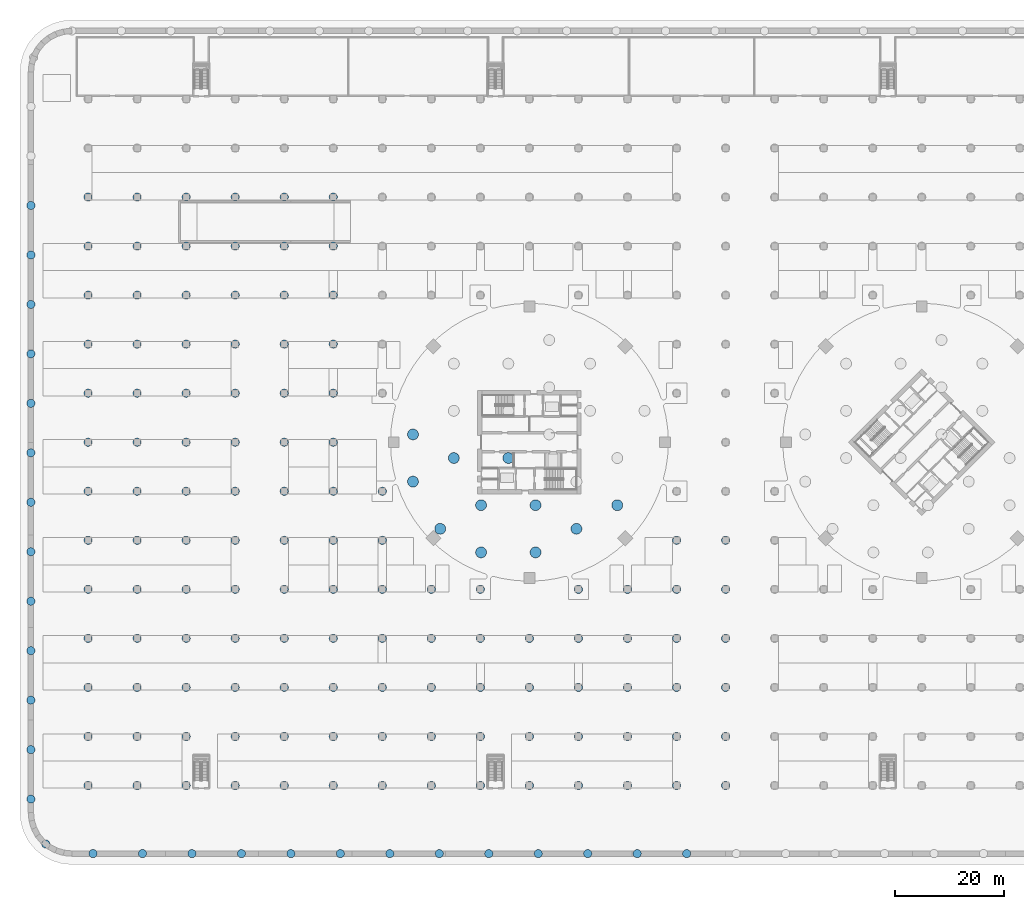
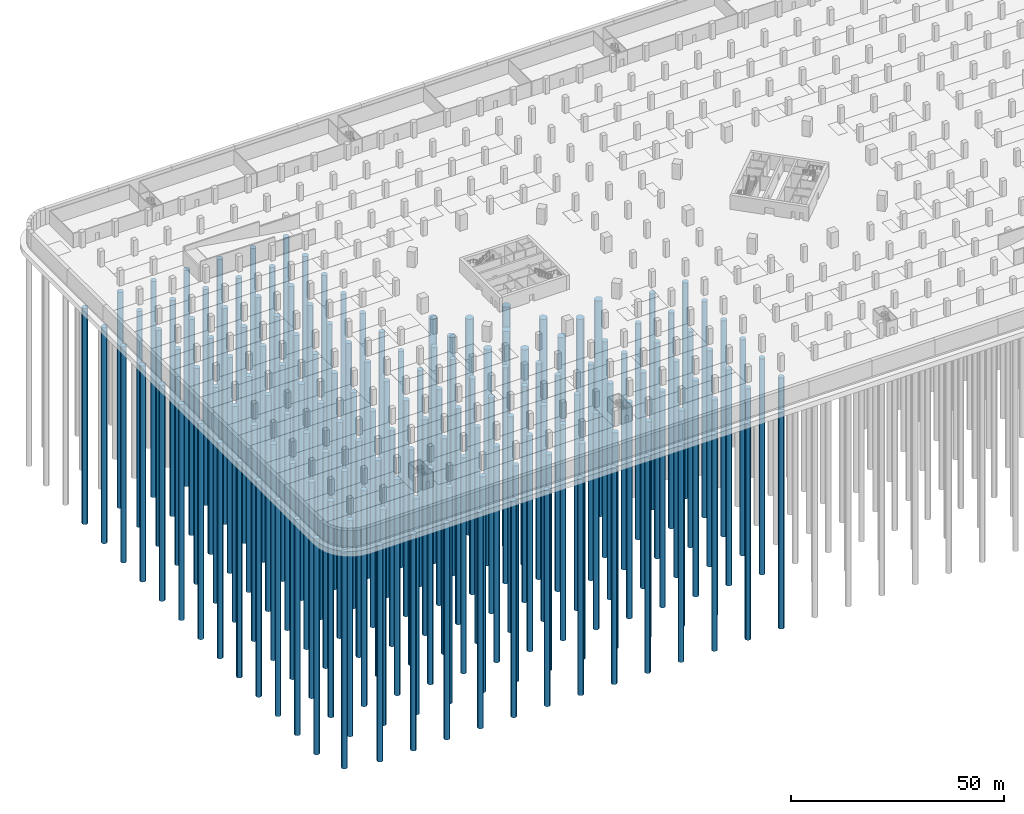
# One storey, part 1 of 39: 159 piles.
"""IFC4 building model written with IfcOpenShell, lengths in metres."""

from ifc_helpers import new_model, si_unit, direction, frame, origin, origin_2d, place, context, subcontext, project, spatial, circle, extrude, material, material_profile, profile_set, type_object, element, save


model = new_model("IFC4")

# Units and contexts
model_context = context("Model", 3, precision=1e-05, world=origin(), true_north=direction((0.0, 1.0)))
body_context = subcontext(model_context, "Body", "Model", "MODEL_VIEW")
ifc_project = project(units=[si_unit("LENGTHUNIT", "METRE"), si_unit("AREAUNIT", "SQUARE_METRE"), si_unit("VOLUMEUNIT", "CUBIC_METRE"), si_unit("PLANEANGLEUNIT", "RADIAN"), si_unit("MASSUNIT", "GRAM", prefix="KILO")], contexts=[model_context])

# Site, building, storey
site_placement = place(None, origin())
site = spatial("IfcSite", under=ifc_project, at=site_placement, CompositionType="ELEMENT")
building_placement = place(site_placement, origin())
building = spatial("IfcBuilding", under=site, at=building_placement, Name="Ogive Gate Towers", CompositionType="ELEMENT")
storey_placement = place(building_placement, frame((0.0, 0.0, -9.0)))
storey = spatial("IfcBuildingStorey", under=building, at=storey_placement, Name="B2", CompositionType="ELEMENT", Elevation=-9.0)

# Piles
ifc_material = material(Name="Concrete C40/50", Category="concrete")
ifc_material_profile_1 = material_profile(ifc_material, circle(Radius=0.75, at=origin_2d()), Name="BP 1500")
ifc_profile_set_1 = profile_set([ifc_material_profile_1], Name="Concrete C40/50")
pile_type_1 = type_object("IfcPileType", Name="Bored pile 1500", PredefinedType="BORED", material=ifc_profile_set_1)
for number, where, z_axis, x_axis, name in (
    (1, (-63.0, -9.0, -3.800048828125), (0.0, 0.0, -1.0), (1.0, 0.0, 0.0), "BS/B2/SPL001"),
    (2, (-45.0, -27.0, -3.800048828125), (0.0, 0.0, -1.0), (1.0, 0.0, 0.0), "BS/B2/SPL003"),
    (3, (-27.0, -27.0, -3.800048828125), (0.0, 0.0, -1.0), (1.0, 0.0, 0.0), "BS/B2/SPL005"),
    (4, (-117.0, -63.0, -1.800048828125), (0.0, 0.0, -1.0), (1.0, 0.0, 0.0), "BS/B2/SPL063"),
    (5, (-117.0, -54.0, -1.800048828125), (0.0, 0.0, -1.0), (1.0, 0.0, 0.0), "BS/B2/SPL064"),
    (6, (-117.0, -45.0, -1.800048828125), (0.0, 0.0, -1.0), (1.0, 0.0, 0.0), "BS/B2/SPL065"),
    (7, (-117.0, -36.0, -1.800048828125), (0.0, 0.0, -1.0), (1.0, 0.0, 0.0), "BS/B2/SPL066"),
    (8, (-117.0, -27.0, -1.800048828125), (0.0, 0.0, -1.0), (1.0, 0.0, 0.0), "BS/B2/SPL067"),
    (9, (-117.0, -18.0, -1.800048828125), (0.0, 0.0, -1.0), (1.0, 0.0, 0.0), "BS/B2/SPL068"),
    (10, (-117.0, -9.0, -1.800048828125), (0.0, 0.0, -1.0), (1.0, 0.0, 0.0), "BS/B2/SPL069"),
    (11, (-117.0, 0.0, -1.800048828125), (0.0, 0.0, -1.0), (1.0, 0.0, 0.0), "BS/B2/SPL070"),
    (12, (-117.0, 9.0, -1.800048828125), (0.0, 0.0, -1.0), (1.0, 0.0, 0.0), "BS/B2/SPL071"),
    (13, (-117.0, 18.0, -1.800048828125), (0.0, 0.0, -1.0), (1.0, 0.0, 0.0), "BS/B2/SPL072"),
    (14, (-117.0, 27.0, -1.800048828125), (0.0, 0.0, -1.0), (1.0, 0.0, 0.0), "BS/B2/SPL073"),
    (15, (-117.0, 36.0, -1.800048828125), (0.0, 0.0, -1.0), (1.0, 0.0, 0.0), "BS/B2/SPL074"),
    (16, (-117.0, 45.0, -1.800048828125), (0.0, 0.0, -1.0), (1.0, 0.0, 0.0), "BS/B2/SPL075"),
    (17, (-108.0, -63.0, -1.800048828125), (0.0, 0.0, -1.0), (1.0, 0.0, 0.0), "BS/B2/SPL078"),
    (18, (-108.0, -54.0, -1.800048828125), (0.0, 0.0, -1.0), (1.0, 0.0, 0.0), "BS/B2/SPL079"),
    (19, (-108.0, -45.0, -1.800048828125), (0.0, 0.0, -1.0), (1.0, 0.0, 0.0), "BS/B2/SPL080"),
    (20, (-108.0, -36.0, -1.800048828125), (0.0, 0.0, -1.0), (1.0, 0.0, 0.0), "BS/B2/SPL081"),
    (21, (-108.0, -27.0, -1.800048828125), (0.0, 0.0, -1.0), (1.0, 0.0, 0.0), "BS/B2/SPL082"),
    (22, (-108.0, -18.0, -1.800048828125), (0.0, 0.0, -1.0), (1.0, 0.0, 0.0), "BS/B2/SPL083"),
    (23, (-108.0, -9.0, -1.800048828125), (0.0, 0.0, -1.0), (1.0, 0.0, 0.0), "BS/B2/SPL084"),
    (24, (-108.0, 0.0, -1.800048828125), (0.0, 0.0, -1.0), (1.0, 0.0, 0.0), "BS/B2/SPL085"),
    (25, (-108.0, 9.0, -1.800048828125), (0.0, 0.0, -1.0), (1.0, 0.0, 0.0), "BS/B2/SPL086"),
    (26, (-108.0, 18.0, -1.800048828125), (0.0, 0.0, -1.0), (1.0, 0.0, 0.0), "BS/B2/SPL087"),
    (27, (-108.0, 27.0, -1.800048828125), (0.0, 0.0, -1.0), (1.0, 0.0, 0.0), "BS/B2/SPL088"),
    (28, (-108.0, 36.0, -1.800048828125), (0.0, 0.0, -1.0), (1.0, 0.0, 0.0), "BS/B2/SPL089"),
    (29, (-108.0, 45.0, -1.800048828125), (0.0, 0.0, -1.0), (1.0, 0.0, 0.0), "BS/B2/SPL090"),
    (30, (-99.0, -63.0, -1.800048828125), (0.0, 0.0, -1.0), (1.0, 0.0, 0.0), "BS/B2/SPL093"),
    (31, (-99.0, -54.0, -1.800048828125), (0.0, 0.0, -1.0), (1.0, 0.0, 0.0), "BS/B2/SPL094"),
    (32, (-99.0, -45.0, -1.800048828125), (0.0, 0.0, -1.0), (1.0, 0.0, 0.0), "BS/B2/SPL095"),
    (33, (-99.0, -36.0, -1.800048828125), (0.0, 0.0, -1.0), (1.0, 0.0, 0.0), "BS/B2/SPL096"),
    (34, (-99.0, -27.0, -1.800048828125), (0.0, 0.0, -1.0), (1.0, 0.0, 0.0), "BS/B2/SPL097"),
    (35, (-99.0, -18.0, -1.800048828125), (0.0, 0.0, -1.0), (1.0, 0.0, 0.0), "BS/B2/SPL098"),
    (36, (-99.0, -9.0, -1.800048828125), (0.0, 0.0, -1.0), (1.0, 0.0, 0.0), "BS/B2/SPL099"),
    (37, (-99.0, 0.0, -1.800048828125), (0.0, 0.0, -1.0), (1.0, 0.0, 0.0), "BS/B2/SPL100"),
    (38, (-99.0, 9.0, -1.800048828125), (0.0, 0.0, -1.0), (1.0, 0.0, 0.0), "BS/B2/SPL101"),
    (39, (-99.0, 18.0, -1.800048828125), (0.0, 0.0, -1.0), (1.0, 0.0, 0.0), "BS/B2/SPL102"),
    (40, (-99.0, 27.0, -1.800048828125), (0.0, 0.0, -1.0), (1.0, 0.0, 0.0), "BS/B2/SPL103"),
    (41, (-99.0, 36.0, -1.800048828125), (0.0, 0.0, -1.0), (1.0, 0.0, 0.0), "BS/B2/SPL104"),
    (42, (-99.0, 45.0, -1.800048828125), (0.0, 0.0, -1.0), (1.0, 0.0, 0.0), "BS/B2/SPL105"),
    (43, (-90.0, -63.0, -1.800048828125), (0.0, 0.0, -1.0), (1.0, 0.0, 0.0), "BS/B2/SPL108"),
    (44, (-90.0, -54.0, -1.800048828125), (0.0, 0.0, -1.0), (1.0, 0.0, 0.0), "BS/B2/SPL109"),
    (45, (-90.0, -45.0, -1.800048828125), (0.0, 0.0, -1.0), (1.0, 0.0, 0.0), "BS/B2/SPL110"),
    (46, (-90.0, -36.0, -1.800048828125), (0.0, 0.0, -1.0), (1.0, 0.0, 0.0), "BS/B2/SPL111"),
    (47, (-90.0, -27.0, -1.800048828125), (0.0, 0.0, -1.0), (1.0, 0.0, 0.0), "BS/B2/SPL112"),
    (48, (-90.0, -18.0, -1.800048828125), (0.0, 0.0, -1.0), (1.0, 0.0, 0.0), "BS/B2/SPL113"),
    (49, (-90.0, -9.0, -1.800048828125), (0.0, 0.0, -1.0), (1.0, 0.0, 0.0), "BS/B2/SPL114"),
    (50, (-90.0, 0.0, -1.800048828125), (0.0, 0.0, -1.0), (1.0, 0.0, 0.0), "BS/B2/SPL115"),
    (51, (-90.0, 9.0, -1.800048828125), (0.0, 0.0, -1.0), (1.0, 0.0, 0.0), "BS/B2/SPL116"),
    (52, (-90.0, 18.0, -1.800048828125), (0.0, 0.0, -1.0), (1.0, 0.0, 0.0), "BS/B2/SPL117"),
    (53, (-90.0, 27.0, -1.800048828125), (0.0, 0.0, -1.0), (1.0, 0.0, 0.0), "BS/B2/SPL118"),
    (54, (-90.0, 36.0, -1.800048828125), (0.0, 0.0, -1.0), (1.0, 0.0, 0.0), "BS/B2/SPL119"),
    (55, (-90.0, 45.0, -1.800048828125), (0.0, 0.0, -1.0), (1.0, 0.0, 0.0), "BS/B2/SPL120"),
    (56, (-81.0, -63.0, -1.800048828125), (0.0, 0.0, -1.0), (1.0, 0.0, 0.0), "BS/B2/SPL123"),
    (57, (-81.0, -54.0, -1.800048828125), (0.0, 0.0, -1.0), (1.0, 0.0, 0.0), "BS/B2/SPL124"),
    (58, (-81.0, -45.0, -1.800048828125), (0.0, 0.0, -1.0), (1.0, 0.0, 0.0), "BS/B2/SPL125"),
    (59, (-81.0, -36.0, -1.800048828125), (0.0, 0.0, -1.0), (1.0, 0.0, 0.0), "BS/B2/SPL126"),
    (60, (-81.0, -27.0, -1.800048828125), (0.0, 0.0, -1.0), (1.0, 0.0, 0.0), "BS/B2/SPL127"),
    (61, (-81.0, -18.0, -1.800048828125), (0.0, 0.0, -1.0), (1.0, 0.0, 0.0), "BS/B2/SPL128"),
    (62, (-81.0, -9.0, -1.800048828125), (0.0, 0.0, -1.0), (1.0, 0.0, 0.0), "BS/B2/SPL129"),
    (63, (-81.0, 0.0, -1.800048828125), (0.0, 0.0, -1.0), (1.0, 0.0, 0.0), "BS/B2/SPL130"),
    (64, (-81.0, 9.0, -1.800048828125), (0.0, 0.0, -1.0), (1.0, 0.0, 0.0), "BS/B2/SPL131"),
    (65, (-81.0, 18.0, -1.800048828125), (0.0, 0.0, -1.0), (1.0, 0.0, 0.0), "BS/B2/SPL132"),
    (66, (-81.0, 27.0, -1.800048828125), (0.0, 0.0, -1.0), (1.0, 0.0, 0.0), "BS/B2/SPL133"),
    (67, (-81.0, 36.0, -1.800048828125), (0.0, 0.0, -1.0), (1.0, 0.0, 0.0), "BS/B2/SPL134"),
    (68, (-81.0, 45.0, -1.800048828125), (0.0, 0.0, -1.0), (1.0, 0.0, 0.0), "BS/B2/SPL135"),
    (69, (-72.0, -63.0, -1.800048828125), (0.0, 0.0, -1.0), (1.0, 0.0, 0.0), "BS/B2/SPL138"),
    (70, (-72.0, -54.0, -1.800048828125), (0.0, 0.0, -1.0), (1.0, 0.0, 0.0), "BS/B2/SPL139"),
    (71, (-72.0, -45.0, -1.800048828125), (0.0, 0.0, -1.0), (1.0, 0.0, 0.0), "BS/B2/SPL140"),
    (72, (-72.0, -36.0, -1.800048828125), (0.0, 0.0, -1.0), (1.0, 0.0, 0.0), "BS/B2/SPL141"),
    (73, (-72.0, -27.0, -1.800048828125), (0.0, 0.0, -1.0), (1.0, 0.0, 0.0), "BS/B2/SPL142"),
    (74, (-72.0, -18.0, -1.800048828125), (0.0, 0.0, -1.0), (1.0, 0.0, 0.0), "BS/B2/SPL143"),
    (75, (-72.0, -9.0, -1.800048828125), (0.0, 0.0, -1.0), (1.0, 0.0, 0.0), "BS/B2/SPL144"),
    (76, (-72.0, 0.0, -1.800048828125), (0.0, 0.0, -1.0), (1.0, 0.0, 0.0), "BS/B2/SPL145"),
    (77, (-72.0, 9.0, -1.800048828125), (0.0, 0.0, -1.0), (1.0, 0.0, 0.0), "BS/B2/SPL146"),
    (78, (-72.0, 18.0, -1.800048828125), (0.0, 0.0, -1.0), (1.0, 0.0, 0.0), "BS/B2/SPL147"),
    (79, (-72.0, 27.0, -1.800048828125), (0.0, 0.0, -1.0), (1.0, 0.0, 0.0), "BS/B2/SPL148"),
    (80, (-72.0, 36.0, -1.800048828125), (0.0, 0.0, -1.0), (1.0, 0.0, 0.0), "BS/B2/SPL149"),
    (81, (-72.0, 45.0, -1.800048828125), (0.0, 0.0, -1.0), (1.0, 0.0, 0.0), "BS/B2/SPL150"),
    (82, (-63.0, -63.0, -1.800048828125), (0.0, 0.0, -1.0), (1.0, 0.0, 0.0), "BS/B2/SPL153"),
    (83, (-63.0, -54.0, -1.800048828125), (0.0, 0.0, -1.0), (1.0, 0.0, 0.0), "BS/B2/SPL154"),
    (84, (-63.0, -45.0, -1.800048828125), (0.0, 0.0, -1.0), (1.0, 0.0, 0.0), "BS/B2/SPL155"),
    (85, (-63.0, -36.0, -1.800048828125), (0.0, 0.0, -1.0), (1.0, 0.0, 0.0), "BS/B2/SPL156"),
    (86, (-63.0, -27.0, -1.800048828125), (0.0, 0.0, -1.0), (1.0, 0.0, 0.0), "BS/B2/SPL157"),
    (87, (-63.0, -18.0, -1.800048828125), (0.0, 0.0, -1.0), (1.0, 0.0, 0.0), "BS/B2/SPL158"),
    (88, (-54.0, -63.0, -1.800048828125), (0.0, 0.0, -1.0), (1.0, 0.0, 0.0), "BS/B2/SPL165"),
    (89, (-54.0, -54.0, -1.800048828125), (0.0, 0.0, -1.0), (1.0, 0.0, 0.0), "BS/B2/SPL166"),
    (90, (-54.0, -45.0, -1.800048828125), (0.0, 0.0, -1.0), (1.0, 0.0, 0.0), "BS/B2/SPL167"),
    (91, (-54.0, -36.0, -1.800048828125), (0.0, 0.0, -1.0), (1.0, 0.0, 0.0), "BS/B2/SPL168"),
    (92, (-54.0, -27.0, -1.800048828125), (0.0, 0.0, -1.0), (1.0, 0.0, 0.0), "BS/B2/SPL169"),
    (93, (-45.0, -63.0, -1.800048828125), (0.0, 0.0, -1.0), (1.0, 0.0, 0.0), "BS/B2/SPL175"),
    (94, (-45.0, -54.0, -1.800048828125), (0.0, 0.0, -1.0), (1.0, 0.0, 0.0), "BS/B2/SPL176"),
    (95, (-45.0, -45.0, -1.800048828125), (0.0, 0.0, -1.0), (1.0, 0.0, 0.0), "BS/B2/SPL177"),
    (96, (-45.0, -36.0, -1.800048828125), (0.0, 0.0, -1.0), (1.0, 0.0, 0.0), "BS/B2/SPL178"),
    (97, (-36.0, -63.0, -1.800048828125), (0.0, 0.0, -1.0), (1.0, 0.0, 0.0), "BS/B2/SPL183"),
    (98, (-36.0, -54.0, -1.800048828125), (0.0, 0.0, -1.0), (1.0, 0.0, 0.0), "BS/B2/SPL184"),
    (99, (-36.0, -45.0, -1.800048828125), (0.0, 0.0, -1.0), (1.0, 0.0, 0.0), "BS/B2/SPL185"),
    (100, (-36.0, -36.0, -1.800048828125), (0.0, 0.0, -1.0), (1.0, 0.0, 0.0), "BS/B2/SPL186"),
    (101, (-27.0, -63.0, -1.800048828125), (0.0, 0.0, -1.0), (1.0, 0.0, 0.0), "BS/B2/SPL191"),
    (102, (-27.0, -54.0, -1.800048828125), (0.0, 0.0, -1.0), (1.0, 0.0, 0.0), "BS/B2/SPL192"),
    (103, (-27.0, -45.0, -1.800048828125), (0.0, 0.0, -1.0), (1.0, 0.0, 0.0), "BS/B2/SPL193"),
    (104, (-27.0, -36.0, -1.800048828125), (0.0, 0.0, -1.0), (1.0, 0.0, 0.0), "BS/B2/SPL194"),
    (105, (-18.0, -63.0, -1.800048828125), (0.0, 0.0, -1.0), (1.0, 0.0, 0.0), "BS/B2/SPL199"),
    (106, (-18.0, -54.0, -1.800048828125), (0.0, 0.0, -1.0), (1.0, 0.0, 0.0), "BS/B2/SPL200"),
    (107, (-18.0, -45.0, -1.800048828125), (0.0, 0.0, -1.0), (1.0, 0.0, 0.0), "BS/B2/SPL201"),
    (108, (-18.0, -36.0, -1.800048828125), (0.0, 0.0, -1.0), (1.0, 0.0, 0.0), "BS/B2/SPL202"),
    (109, (-18.0, -27.0, -1.800048828125), (0.0, 0.0, -1.0), (1.0, 0.0, 0.0), "BS/B2/SPL203"),
    (110, (-9.0, -63.0, -1.800048828125), (0.0, 0.0, -1.0), (1.0, 0.0, 0.0), "BS/B2/SPL209"),
    (111, (-9.0, -54.0, -1.800048828125), (0.0, 0.0, -1.0), (1.0, 0.0, 0.0), "BS/B2/SPL210"),
    (112, (-9.0, -45.0, -1.800048828125), (0.0, 0.0, -1.0), (1.0, 0.0, 0.0), "BS/B2/SPL211"),
    (113, (-9.0, -36.0, -1.800048828125), (0.0, 0.0, -1.0), (1.0, 0.0, 0.0), "BS/B2/SPL212"),
    (114, (-9.0, -27.0, -1.800048828125), (0.0, 0.0, -1.0), (1.0, 0.0, 0.0), "BS/B2/SPL213"),
    (115, (-9.0, -18.0, -1.800048828125), (0.0, 0.0, -1.0), (1.0, 0.0, 0.0), "BS/B2/SPL214"),
    (116, (0.0, -63.0, -1.800048828125), (0.0, 0.0, -1.0), (1.0, 0.0, 0.0), "BS/B2/SPL221"),
    (117, (0.0, -54.0, -1.800048828125), (0.0, 0.0, -1.0), (1.0, 0.0, 0.0), "BS/B2/SPL222"),
    (118, (0.0, -45.0, -1.800048828125), (0.0, 0.0, -1.0), (1.0, 0.0, 0.0), "BS/B2/SPL223"),
    (119, (0.0, -36.0, -1.800048828125), (0.0, 0.0, -1.0), (1.0, 0.0, 0.0), "BS/B2/SPL224"),
    (120, (0.0, -27.0, -1.800048828125), (0.0, 0.0, -1.0), (1.0, 0.0, 0.0), "BS/B2/SPL225"),
    (121, (0.0, -18.0, -1.800048828125), (0.0, 0.0, -1.0), (1.0, 0.0, 0.0), "BS/B2/SPL226"),
    (122, (-7.14404296875, -75.5, -1.800048828125), (0.0, 0.0, -1.0), (1.0, 0.0, 0.0), "BS/B2/SPL408"),
    (123, (-16.22412109375, -75.5, -1.800048828125), (0.0, 0.0, -1.0), (1.0, 0.0, 0.0), "BS/B2/SPL409"),
    (124, (-25.302978515625, -75.5, -1.800048828125), (0.0, 0.0, -1.0), (1.0, 0.0, 0.0), "BS/B2/SPL410"),
    (125, (-34.383056640625, -75.5, -1.800048828125), (0.0, 0.0, -1.0), (1.0, 0.0, 0.0), "BS/B2/SPL411"),
    (126, (-43.462890625, -75.5, -1.800048828125), (0.0, 0.0, -1.0), (1.0, 0.0, 0.0), "BS/B2/SPL412"),
    (127, (-52.54296875, -75.5, -1.800048828125), (0.0, 0.0, -1.0), (1.0, 0.0, 0.0), "BS/B2/SPL413"),
    (128, (-61.623046875, -75.5, -1.800048828125), (0.0, 0.0, -1.0), (1.0, 0.0, 0.0), "BS/B2/SPL414"),
    (129, (-70.702880859375, -75.5, -1.800048828125), (0.0, 0.0, -1.0), (1.0, 0.0, 0.0), "BS/B2/SPL415"),
    (130, (-79.782958984375, -75.5, -1.800048828125), (0.0, 0.0, -1.0), (1.0, 0.0, 0.0), "BS/B2/SPL416"),
    (131, (-88.863037109375, -75.5, -1.800048828125), (0.0, 0.0, -1.0), (1.0, 0.0, 0.0), "BS/B2/SPL417"),
    (132, (-97.943115234375, -75.5, -1.800048828125), (0.0, 0.0, -1.0), (1.0, 0.0, 0.0), "BS/B2/SPL418"),
    (133, (-107.02294921875, -75.5, -1.800048828125), (0.0, 0.0, -1.0), (1.0, 0.0, 0.0), "BS/B2/SPL419"),
    (134, (-116.10302734375, -75.5, -1.800048828125), (0.0, 0.0, -1.0), (1.0, 0.0, 0.0), "BS/B2/SPL420"),
    (135, (-124.762939453125, -73.742919921875, -1.800048828125), (0.0, 0.0, -1.0), (1.0, 0.0, 0.0), "BS/B2/SPL421"),
    (136, (-127.5, -65.49609375, -1.800048828125), (0.0, 0.0, -1.0), (1.0, 0.0, 0.0), "BS/B2/SPL422"),
    (137, (-127.5, -56.416015625, -1.800048828125), (0.0, 0.0, -1.0), (1.0, 0.0, 0.0), "BS/B2/SPL423"),
    (138, (-127.5, -47.3359375, -1.800048828125), (0.0, 0.0, -1.0), (1.0, 0.0, 0.0), "BS/B2/SPL424"),
    (139, (-127.5, -38.256103515625, -1.800048828125), (0.0, 0.0, -1.0), (1.0, 0.0, 0.0), "BS/B2/SPL425"),
    (140, (-127.5, -29.176025390625, -1.800048828125), (0.0, 0.0, -1.0), (1.0, 0.0, 0.0), "BS/B2/SPL426"),
    (141, (-127.5, -20.095947265625, -1.800048828125), (0.0, 0.0, -1.0), (1.0, 0.0, 0.0), "BS/B2/SPL427"),
    (142, (-127.5, -11.01611328125, -1.800048828125), (0.0, 0.0, -1.0), (1.0, 0.0, 0.0), "BS/B2/SPL428"),
    (143, (-127.5, -1.93603515625, -1.800048828125), (0.0, 0.0, -1.0), (1.0, 0.0, 0.0), "BS/B2/SPL429"),
    (144, (-127.5, 7.14404296875, -1.800048828125), (0.0, 0.0, -1.0), (1.0, 0.0, 0.0), "BS/B2/SPL430"),
    (145, (-127.5, 16.22412109375, -1.800048828125), (0.0, 0.0, -1.0), (1.0, 0.0, 0.0), "BS/B2/SPL431"),
    (146, (-127.5, 25.302978515625, -1.800048828125), (0.0, 0.0, -1.0), (1.0, 0.0, 0.0), "BS/B2/SPL432"),
    (147, (-127.5, 34.383056640625, -1.800048828125), (0.0, 0.0, -1.0), (1.0, 0.0, 0.0), "BS/B2/SPL433"),
    (148, (-127.5, 43.462890625, -1.800048828125), (0.0, 0.0, -1.0), (1.0, 0.0, 0.0), "BS/B2/SPL434"),
):
    element("IfcPile", number, at=place(storey_placement, frame(where, z_axis=z_axis, x_axis=x_axis)), inside=storey, type_object=pile_type_1, Name=name, PredefinedType="BORED", context=body_context, shape_type="SweptSolid", body=[
        extrude(circle(Radius=0.75, at=origin_2d()), origin(), (0.0, 0.0, 1.0), 62.0),
    ])
ifc_material_profile_2 = material_profile(ifc_material, circle(Radius=1.0, at=origin_2d()), Name="BP 2000")
ifc_profile_set_2 = profile_set([ifc_material_profile_2], Name="Concrete C40/50")
pile_type_2 = type_object("IfcPileType", Name="Bored pile 2000", PredefinedType="BORED", material=ifc_profile_set_2)
for number, where, z_axis, x_axis, name in (
    (149, (-44.875, -20.215087890625, -3.800048828125), (0.0, 0.0, -1.0), (1.0, 0.0, 0.0), "BS/B2/SPL009"),
    (150, (-34.875, -20.215087890625, -3.800048828125), (0.0, 0.0, -1.0), (1.0, 0.0, 0.0), "BS/B2/SPL010"),
    (151, (-52.375, -15.885009765625, -3.800048828125), (0.0, 0.0, -1.0), (1.0, 0.0, 0.0), "BS/B2/SPL011"),
    (152, (-27.375, -15.885009765625, -3.800048828125), (0.0, 0.0, -1.0), (1.0, 0.0, 0.0), "BS/B2/SPL012"),
    (153, (-44.875, -11.553955078125, -3.800048828125), (0.0, 0.0, -1.0), (1.0, 0.0, 0.0), "BS/B2/SPL013"),
    (154, (-34.875, -11.553955078125, -3.800048828125), (0.0, 0.0, -1.0), (1.0, 0.0, 0.0), "BS/B2/SPL014"),
    (155, (-19.875, -11.553955078125, -3.800048828125), (0.0, 0.0, -1.0), (1.0, 0.0, 0.0), "BS/B2/SPL015"),
    (156, (-57.375, -7.22412109375, -3.800048828125), (0.0, 0.0, -1.0), (1.0, 0.0, 0.0), "BS/B2/SPL016"),
    (157, (-49.875, -2.89404296875, -3.800048828125), (0.0, 0.0, -1.0), (1.0, 0.0, 0.0), "BS/B2/SPL018"),
    (158, (-39.875, -2.89404296875, -3.800048828125), (0.0, 0.0, -1.0), (1.0, 0.0, 0.0), "BS/B2/SPL019"),
    (159, (-57.375, 1.43603515625, -3.800048828125), (0.0, 0.0, -1.0), (1.0, 0.0, 0.0), "BS/B2/SPL021"),
):
    element("IfcPile", number, at=place(storey_placement, frame(where, z_axis=z_axis, x_axis=x_axis)), inside=storey, type_object=pile_type_2, Name=name, PredefinedType="BORED", context=body_context, shape_type="SweptSolid", body=[
        extrude(circle(Radius=1.0, at=origin_2d()), origin(), (0.0, 0.0, 1.0), 62.0),
    ])

save(model, "model.ifc")
